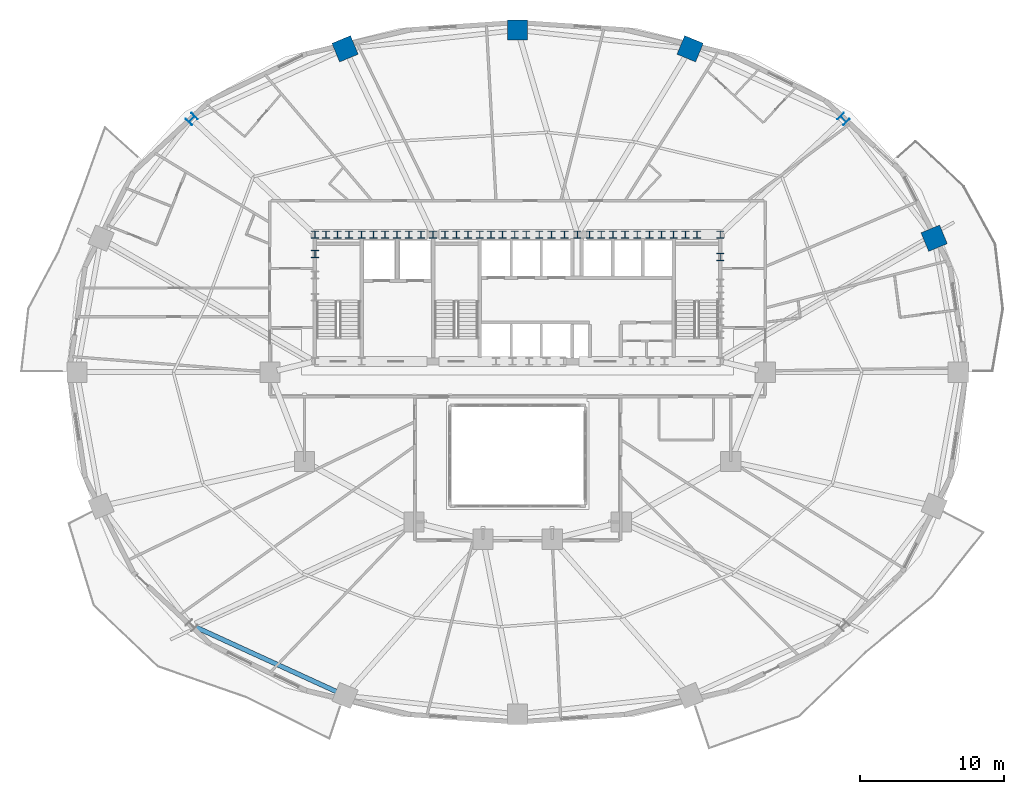
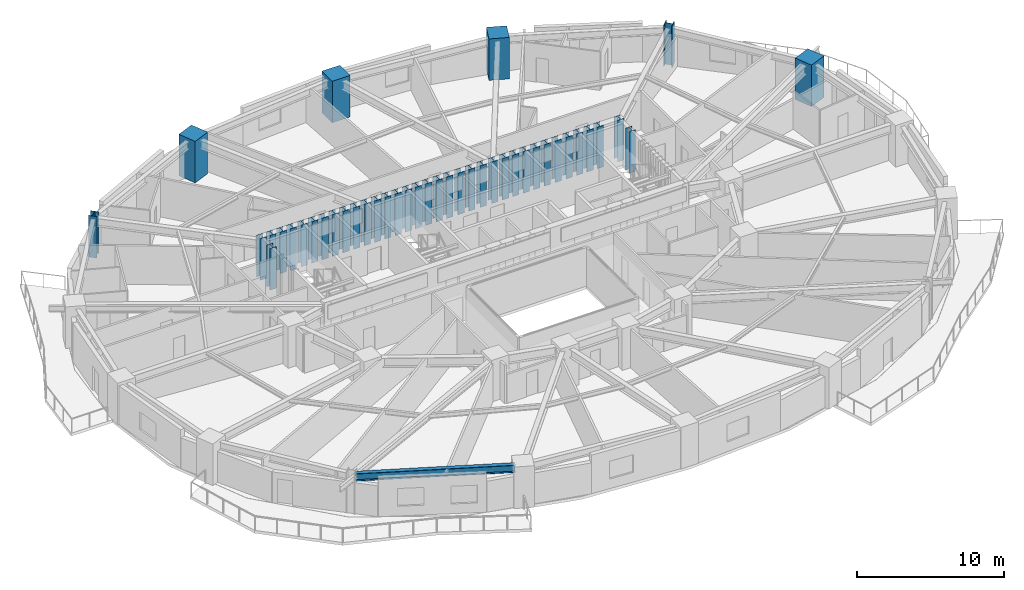
# One storey, part 2 of 17: 42 columns, 1 beam.
"""IFC4 building model written with IfcOpenShell, lengths in metres."""

from ifc_helpers import new_model, si_unit, direction, frame, origin, origin_2d, place, context, subcontext, project, spatial, rectangle, i_section, extrude, material, material_profile, profile_set, type_object, element, save


model = new_model("IFC4")

# Units and contexts
model_context = context("Model", 3, precision=1e-05, world=origin(), true_north=direction((0.0, 1.0)))
body_context = subcontext(model_context, "Body", "Model", "MODEL_VIEW")
ifc_project = project(units=[si_unit("LENGTHUNIT", "METRE"), si_unit("AREAUNIT", "SQUARE_METRE"), si_unit("VOLUMEUNIT", "CUBIC_METRE"), si_unit("PLANEANGLEUNIT", "RADIAN"), si_unit("MASSUNIT", "GRAM", prefix="KILO")], contexts=[model_context])

# Site, building, storey
site_placement = place(None, origin())
site = spatial("IfcSite", under=ifc_project, at=site_placement, CompositionType="ELEMENT")
building_placement = place(site_placement, origin())
building = spatial("IfcBuilding", under=site, at=building_placement, Name="Haldorwick Loom Tower", CompositionType="ELEMENT")
storey_placement = place(building_placement, frame((0.0, 0.0, 37.800048828125)))
storey = spatial("IfcBuildingStorey", under=building, at=storey_placement, Name="L09", CompositionType="ELEMENT", Elevation=37.800048828125)

# Columns
ifc_material_1 = material(Name="Concrete C60 (60 MPa)", Category="concrete")
ifc_material_profile_1 = material_profile(ifc_material_1, rectangle(XDim=1.39990234375, YDim=1.39990234375, at=origin_2d()), Name="RC1400X1400", Category="concrete")
ifc_profile_set_1 = profile_set([ifc_material_profile_1], Name="Concrete C60 (60 MPa)")
column_type_1 = type_object("IfcColumnType", Name="STR-COL-RC1400", PredefinedType="PILASTER", material=ifc_profile_set_1)
for number, where, z_axis, x_axis, name in (
    (1, (64.91748046875, 35.29931640625, 0.0), (0.0, 0.0, 1.0), (0.923879532511, 0.382683432365, 0.0), "L09 Perimeter Pier Column P02"),
    (2, (47.97802734375, 48.4501953125, 0.0), (0.0, 0.0, 1.0), (0.382683432365, 0.923879532511, 0.0), "L09 Perimeter Pier Column P04"),
    (3, (36.0, 49.75, 0.0), (0.0, 0.0, 1.0), (0.0, 1.0, 0.0), "L09 Perimeter Pier Column P05"),
    (4, (24.02197265625, 48.4501953125, 0.0), (0.0, 0.0, 1.0), (-0.382683432365, 0.923879532511, 0.0), "L09 Perimeter Pier Column P06"),
):
    element("IfcColumn", number, at=place(storey_placement, frame(where, z_axis=z_axis, x_axis=x_axis)), inside=storey, type_object=column_type_1, Name=name, PredefinedType="PILASTER", context=body_context, shape_type="SweptSolid", body=[
        extrude(rectangle(XDim=1.39990234375, YDim=1.39990234375, at=origin_2d()), origin(), (0.0, 0.0, 1.0), 3.449951171875),
    ])
ifc_material_2 = material(Name="Steel CSA G40.21 350WT", Category="steel")
ifc_material_profile_2 = material_profile(ifc_material_2, i_section(OverallWidth=0.5, OverallDepth=0.5, WebThickness=0.02197265625, FlangeThickness=0.031982421875, at=origin_2d()), Name="WWF500X500", Category="steel")
ifc_profile_set_2 = profile_set([ifc_material_profile_2], Name="Steel CSA G40.21 350WT")
column_type_2 = type_object("IfcColumnType", Name="STR-COL-WWF500", PredefinedType="COLUMN", material=ifc_profile_set_2)
for number, where, z_axis, x_axis, name in (
    (5, (21.929931640625, 35.550048828125, 0.0), (0.0, 0.0, 1.0), (1.0, 0.0, 0.0), "L09 Core Pilaster CB-01"),
    (6, (23.5, 35.550048828125, 0.0), (0.0, 0.0, 1.0), (1.0, 0.0, 0.0), "L09 Core Pilaster CB-02"),
    (7, (25.169921875, 35.550048828125, 0.0), (0.0, 0.0, 1.0), (1.0, 0.0, 0.0), "L09 Core Pilaster CB-03"),
    (8, (26.800048828125, 35.550048828125, 0.0), (0.0, 0.0, 1.0), (1.0, 0.0, 0.0), "L09 Core Pilaster CB-04"),
    (9, (28.449951171875, 35.550048828125, 0.0), (0.0, 0.0, 1.0), (1.0, 0.0, 0.0), "L09 Core Pilaster CB-05"),
    (10, (30.1298828125, 35.550048828125, 0.0), (0.0, 0.0, 1.0), (1.0, 0.0, 0.0), "L09 Core Pilaster CB-06"),
    (11, (31.75, 35.550048828125, 0.0), (0.0, 0.0, 1.0), (1.0, 0.0, 0.0), "L09 Core Pilaster CB-07"),
    (12, (33.3701171875, 35.550048828125, 0.0), (0.0, 0.0, 1.0), (1.0, 0.0, 0.0), "L09 Core Pilaster CB-08"),
    (13, (34.949951171875, 35.550048828125, 0.0), (0.0, 0.0, 1.0), (1.0, 0.0, 0.0), "L09 Core Pilaster CB-09"),
    (14, (36.60009765625, 35.550048828125, 0.0), (0.0, 0.0, 1.0), (1.0, 0.0, 0.0), "L09 Core Pilaster CB-10"),
    (15, (38.35009765625, 35.550048828125, 0.0), (0.0, 0.0, 1.0), (1.0, 0.0, 0.0), "L09 Core Pilaster CB-11"),
    (16, (40.14990234375, 35.550048828125, 0.0), (0.0, 0.0, 1.0), (1.0, 0.0, 0.0), "L09 Core Pilaster CB-12"),
    (17, (41.800048828125, 35.550048828125, 0.0), (0.0, 0.0, 1.0), (1.0, 0.0, 0.0), "L09 Core Pilaster CB-13"),
    (18, (43.449951171875, 35.550048828125, 0.0), (0.0, 0.0, 1.0), (1.0, 0.0, 0.0), "L09 Core Pilaster CB-14"),
    (19, (45.14990234375, 35.550048828125, 0.0), (0.0, 0.0, 1.0), (1.0, 0.0, 0.0), "L09 Core Pilaster CB-15"),
    (20, (46.830078125, 35.550048828125, 0.0), (0.0, 0.0, 1.0), (1.0, 0.0, 0.0), "L09 Core Pilaster CB-16"),
    (21, (48.449951171875, 35.550048828125, 0.0), (0.0, 0.0, 1.0), (1.0, 0.0, 0.0), "L09 Core Pilaster CB-17"),
    (22, (50.070068359375, 35.550048828125, 0.0), (0.0, 0.0, 1.0), (1.0, 0.0, 0.0), "L09 Core Pilaster CB-18"),
    (23, (21.929931640625, 34.199951171875, 0.0), (0.0, 0.0, 1.0), (1.0, 0.0, 0.0), "L09 Core Pilaster CB-28"),
    (24, (50.070068359375, 34.0, 0.0), (0.0, 0.0, 1.0), (1.0, 0.0, 0.0), "L09 Core Pilaster CB-32"),
    (25, (22.699951171875, 35.550048828125, 0.0), (0.0, 0.0, 1.0), (1.0, 0.0, 0.0), "L09 Core Pilaster CB-33"),
    (26, (27.6201171875, 35.550048828125, 0.0), (0.0, 0.0, 1.0), (1.0, 0.0, 0.0), "L09 Core Pilaster CB-34"),
    (27, (32.550048828125, 35.550048828125, 0.0), (0.0, 0.0, 1.0), (1.0, 0.0, 0.0), "L09 Core Pilaster CB-35"),
    (28, (37.5, 35.550048828125, 0.0), (0.0, 0.0, 1.0), (1.0, 0.0, 0.0), "L09 Core Pilaster CB-36"),
    (29, (42.6201171875, 35.550048828125, 0.0), (0.0, 0.0, 1.0), (1.0, 0.0, 0.0), "L09 Core Pilaster CB-37"),
    (30, (47.64990234375, 35.550048828125, 0.0), (0.0, 0.0, 1.0), (1.0, 0.0, 0.0), "L09 Core Pilaster CB-38"),
    (31, (24.300048828125, 35.550048828125, 0.0), (0.0, 0.0, 1.0), (1.0, 0.0, 0.0), "L09 Core Pilaster CB-39"),
    (32, (26.0, 35.550048828125, 0.0), (0.0, 0.0, 1.0), (1.0, 0.0, 0.0), "L09 Core Pilaster CB-40"),
    (33, (29.300048828125, 35.550048828125, 0.0), (0.0, 0.0, 1.0), (1.0, 0.0, 0.0), "L09 Core Pilaster CB-41"),
    (34, (30.949951171875, 35.550048828125, 0.0), (0.0, 0.0, 1.0), (1.0, 0.0, 0.0), "L09 Core Pilaster CB-42"),
    (35, (34.14990234375, 35.550048828125, 0.0), (0.0, 0.0, 1.0), (1.0, 0.0, 0.0), "L09 Core Pilaster CB-43"),
    (36, (35.800048828125, 35.550048828125, 0.0), (0.0, 0.0, 1.0), (1.0, 0.0, 0.0), "L09 Core Pilaster CB-44"),
    (37, (39.25, 35.550048828125, 0.0), (0.0, 0.0, 1.0), (1.0, 0.0, 0.0), "L09 Core Pilaster CB-45"),
    (38, (41.0, 35.550048828125, 0.0), (0.0, 0.0, 1.0), (1.0, 0.0, 0.0), "L09 Core Pilaster CB-46"),
    (39, (44.300048828125, 35.550048828125, 0.0), (0.0, 0.0, 1.0), (1.0, 0.0, 0.0), "L09 Core Pilaster CB-47"),
    (40, (46.0, 35.550048828125, 0.0), (0.0, 0.0, 1.0), (1.0, 0.0, 0.0), "L09 Core Pilaster CB-48"),
):
    element("IfcColumn", number, at=place(storey_placement, frame(where, z_axis=z_axis, x_axis=x_axis)), inside=storey, type_object=column_type_2, Name=name, PredefinedType="COLUMN", context=body_context, shape_type="SweptSolid", body=[
        extrude(i_section(OverallWidth=0.5, OverallDepth=0.5, WebThickness=0.02197265625, FlangeThickness=0.031982421875, at=origin_2d()), origin(), (0.0, 0.0, 1.0), 3.449951171875),
    ])
ifc_material_profile_3 = material_profile(ifc_material_2, i_section(OverallWidth=0.60009765625, OverallDepth=0.60009765625, WebThickness=0.02490234375, FlangeThickness=0.035888671875, at=origin_2d()), Name="WWF600X600", Category="steel")
ifc_profile_set_3 = profile_set([ifc_material_profile_3], Name="Steel CSA G40.21 350WT")
column_type_3 = type_object("IfcColumnType", Name="STR-COL-WWF600", PredefinedType="COLUMN", material=ifc_profile_set_3)
for number, where, z_axis, x_axis, name in (
    (41, (58.630126953125, 43.571533203125, 0.0), (0.0, 0.0, 1.0), (0.707106781187, 0.707106781187, 0.0), "L09 Perimeter Pier Column P03"),
    (42, (13.369873046875, 43.571533203125, 0.0), (0.0, 0.0, 1.0), (-0.707106781187, 0.707106781187, 0.0), "L09 Perimeter Pier Column P07"),
):
    element("IfcColumn", number, at=place(storey_placement, frame(where, z_axis=z_axis, x_axis=x_axis)), inside=storey, type_object=column_type_3, Name=name, PredefinedType="COLUMN", context=body_context, shape_type="SweptSolid", body=[
        extrude(i_section(OverallWidth=0.60009765625, OverallDepth=0.60009765625, WebThickness=0.02490234375, FlangeThickness=0.035888671875, at=origin_2d()), origin(), (0.0, 0.0, 1.0), 3.449951171875),
    ])

# Beam
ifc_material_3 = material(Name="Steel CSA G40.21 350W", Category="steel")
ifc_material_profile_4 = material_profile(ifc_material_3, i_section(OverallWidth=0.324951171875, OverallDepth=0.615966796875, WebThickness=0.013916015625, FlangeThickness=0.021484375, at=origin_2d()), Name="W610X174", Category="steel")
ifc_profile_set_4 = profile_set([ifc_material_profile_4], Name="Steel CSA G40.21 350W")
beam_type = type_object("IfcBeamType", Name="STR-BM-SP610", PredefinedType="SPANDREL", material=ifc_profile_set_4)
beam_placement = place(storey_placement, frame((13.619873046875, 8.31396484375, 2.90185546875), z_axis=(0.909173805321, -0.416416848504, 0.0), x_axis=(0.416416848504, 0.909173805321, 0.0)))
element("IfcBeam", 43, at=beam_placement, inside=storey, type_object=beam_type, Name="L09 Perimeter Spandrel 11", PredefinedType="SPANDREL", context=body_context, shape_type="SweptSolid", body=[
    extrude(i_section(OverallWidth=0.324951171875, OverallDepth=0.615966796875, WebThickness=0.013916015625, FlangeThickness=0.021484375, at=origin_2d()), origin(), (0.0, 0.0, 1.0), 10.92138671875),
])

save(model, "model.ifc")
